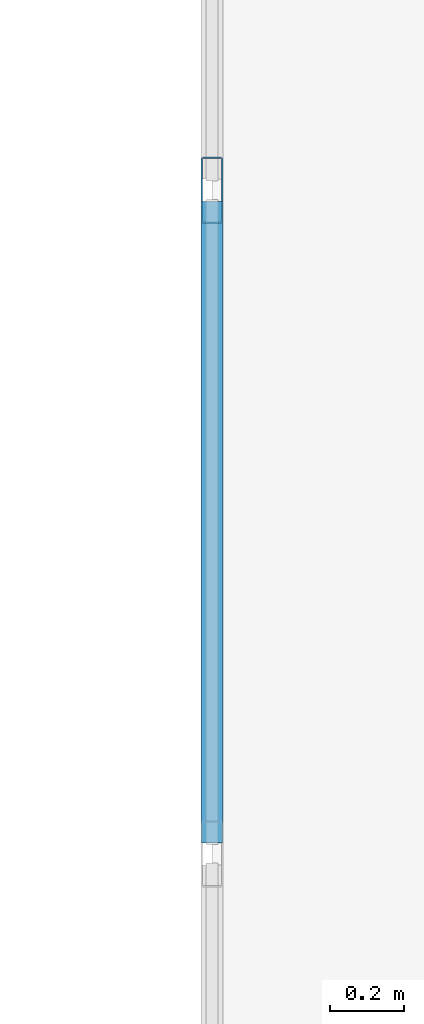
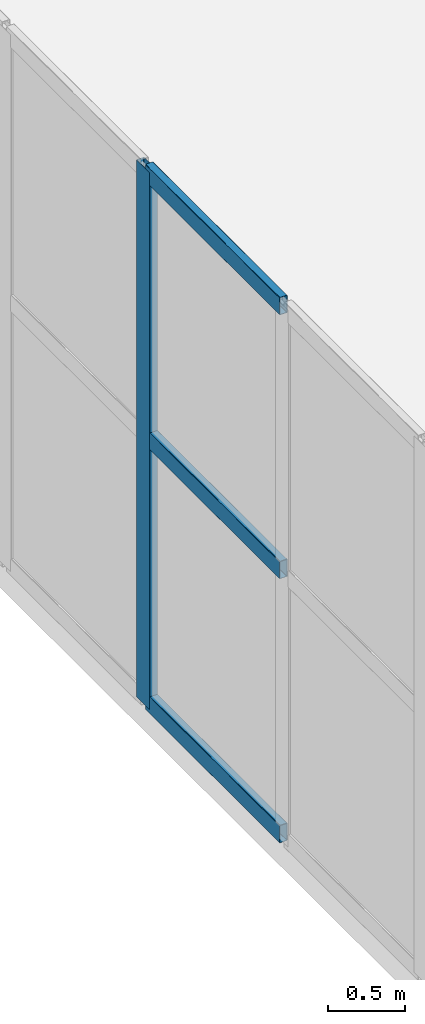
# One storey, part 57 of 170: 4 members, 1 element without a shape of its own.
"""IFC4 building model written with IfcOpenShell, lengths in metres."""

from ifc_helpers import new_model, si_unit, direction, frame, origin, origin_2d, place, context, subcontext, project, spatial, hollow_rectangle, extrude, material, material_profile, profile_set, type_object, element, aggregate, save


model = new_model("IFC4")

# Units and contexts
model_context = context("Model", 3, precision=1e-05, world=origin(), true_north=direction((0.0, 1.0)))
body_context = subcontext(model_context, "Body", "Model", "MODEL_VIEW")
ifc_project = project(units=[si_unit("LENGTHUNIT", "METRE"), si_unit("AREAUNIT", "SQUARE_METRE"), si_unit("VOLUMEUNIT", "CUBIC_METRE"), si_unit("PLANEANGLEUNIT", "RADIAN"), si_unit("MASSUNIT", "GRAM", prefix="KILO")], contexts=[model_context])

# Site, building, storey
site_placement = place(None, origin())
site = spatial("IfcSite", under=ifc_project, at=site_placement, CompositionType="ELEMENT")
building_placement = place(site_placement, origin())
building = spatial("IfcBuilding", under=site, at=building_placement, Name="Coralgate Yard Interchange", CompositionType="ELEMENT")
storey_placement = place(building_placement, frame((0.0, 0.0, 6.0)))
storey = spatial("IfcBuildingStorey", under=building, at=storey_placement, Name="L01", CompositionType="ELEMENT", Elevation=6.0)

# Curtain wall, members
ifc_material_1 = material(Name="Anodised coastal aluminium and solar-control low-E glass", Category="aluminium")
curtain_wall_type = type_object("IfcCurtainWallType", Name="CW-CW-L01-A", PredefinedType="NOTDEFINED", material=ifc_material_1)
curtain_wall_placement = place(storey_placement, origin())
curtain_wall = element("IfcCurtainWall", 1, at=curtain_wall_placement, inside=storey, type_object=curtain_wall_type, Name="L01 unitised curtain wall CW-L01-W-04-06", PredefinedType="NOTDEFINED")
ifc_material_2 = material(Name="Anodised coastal aluminium 6063-T6", Category="aluminium")
ifc_material_profile_1 = material_profile(ifc_material_2, hollow_rectangle(XDim=0.06005859375, YDim=0.179931640625, WallThickness=0.00390625, InnerFilletRadius=0.00390625, OuterFilletRadius=0.008056640625, at=origin_2d()), Name="ALU 60x180x4")
ifc_profile_set_1 = profile_set([ifc_material_profile_1], Name="Anodised coastal aluminium 6063-T6")
member_type_1 = type_object("IfcMemberType", Name="MB-MUL-180", PredefinedType="MULLION", material=ifc_profile_set_1)
member_1_placement = place(storey_placement, frame((38.39990234375, 63.300048828125, 0.0), z_axis=(0.0, 0.0, 1.0), x_axis=(1.0, 0.0, 0.0)))
member_1 = element("IfcMember", 2, at=member_1_placement, type_object=member_type_1, Name="CW-L01-W-04-06 vertical mullion 4", PredefinedType="MULLION", context=body_context, shape_type="SweptSolid", body=[
    extrude(hollow_rectangle(XDim=0.06005859375, YDim=0.179931640625, WallThickness=0.00390625, InnerFilletRadius=0.00390625, OuterFilletRadius=0.008056640625, at=origin_2d()), origin(), (0.0, 0.0, 1.0), 4.25),
])
ifc_material_profile_2 = material_profile(ifc_material_2, hollow_rectangle(XDim=0.06005859375, YDim=0.139892578125, WallThickness=0.00341796875, InnerFilletRadius=0.00341796875, OuterFilletRadius=0.007080078125, at=origin_2d()), Name="ALU 60x140x3.5")
ifc_profile_set_2 = profile_set([ifc_material_profile_2], Name="Anodised coastal aluminium 6063-T6")
member_type_2 = type_object("IfcMemberType", Name="MB-TRN-140", PredefinedType="USERDEFINED", material=ifc_profile_set_2)
member_2_placement = place(storey_placement, frame((38.39990234375, 61.530029296875, 0.034912109375), z_axis=(0.0, 1.0, 0.0), x_axis=(-1.0, 0.0, 0.0)))
member_2 = element("IfcMember", 3, at=member_2_placement, type_object=member_type_2, Name="CW-L01-W-04-06 horizontal transom 3-1", ObjectType="TRANSOM", PredefinedType="USERDEFINED", context=body_context, shape_type="SweptSolid", body=[
    extrude(hollow_rectangle(XDim=0.06005859375, YDim=0.139892578125, WallThickness=0.00341796875, InnerFilletRadius=0.00341796875, OuterFilletRadius=0.007080078125, at=origin_2d()), origin(), (0.0, 0.0, 1.0), 1.739990234375),
])
member_3_placement = place(storey_placement, frame((38.39990234375, 61.530029296875, 2.125), z_axis=(0.0, 1.0, 0.0), x_axis=(-1.0, 0.0, 0.0)))
member_3 = element("IfcMember", 4, at=member_3_placement, type_object=member_type_2, Name="CW-L01-W-04-06 horizontal transom 3-2", ObjectType="TRANSOM", PredefinedType="USERDEFINED", context=body_context, shape_type="SweptSolid", body=[
    extrude(hollow_rectangle(XDim=0.06005859375, YDim=0.139892578125, WallThickness=0.00341796875, InnerFilletRadius=0.00341796875, OuterFilletRadius=0.007080078125, at=origin_2d()), origin(), (0.0, 0.0, 1.0), 1.739990234375),
])
member_4_placement = place(storey_placement, frame((38.39990234375, 61.530029296875, 4.215087890625), z_axis=(0.0, 1.0, 0.0), x_axis=(-1.0, 0.0, 0.0)))
member_4 = element("IfcMember", 5, at=member_4_placement, type_object=member_type_2, Name="CW-L01-W-04-06 horizontal transom 3-3", ObjectType="TRANSOM", PredefinedType="USERDEFINED", context=body_context, shape_type="SweptSolid", body=[
    extrude(hollow_rectangle(XDim=0.06005859375, YDim=0.139892578125, WallThickness=0.00341796875, InnerFilletRadius=0.00341796875, OuterFilletRadius=0.007080078125, at=origin_2d()), origin(), (0.0, 0.0, 1.0), 1.739990234375),
])
aggregate(curtain_wall, [member_1, member_2, member_3, member_4])

save(model, "model.ifc")
